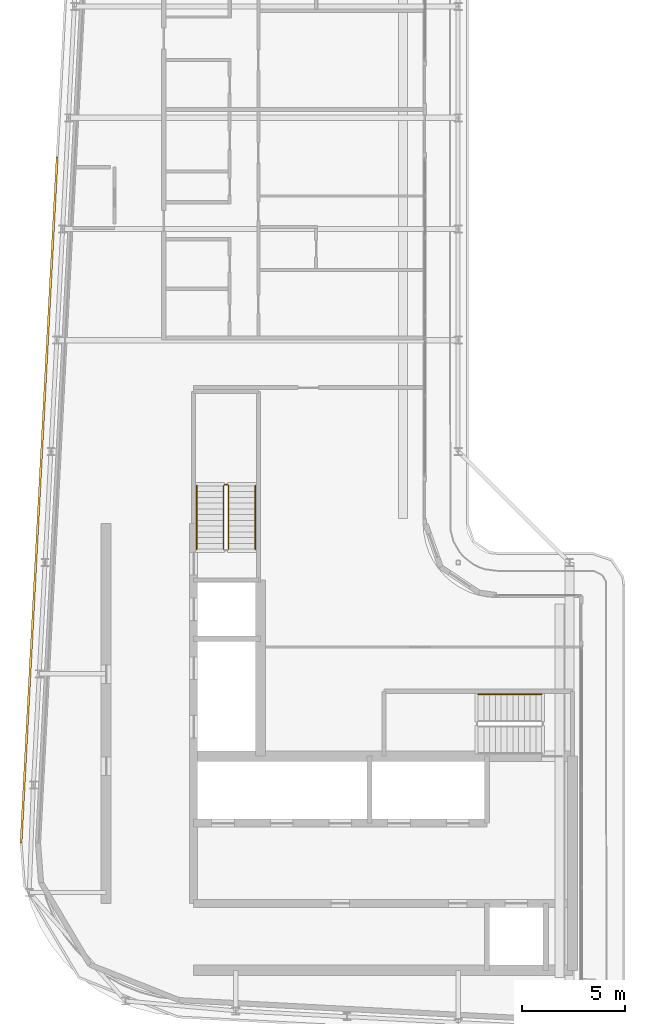
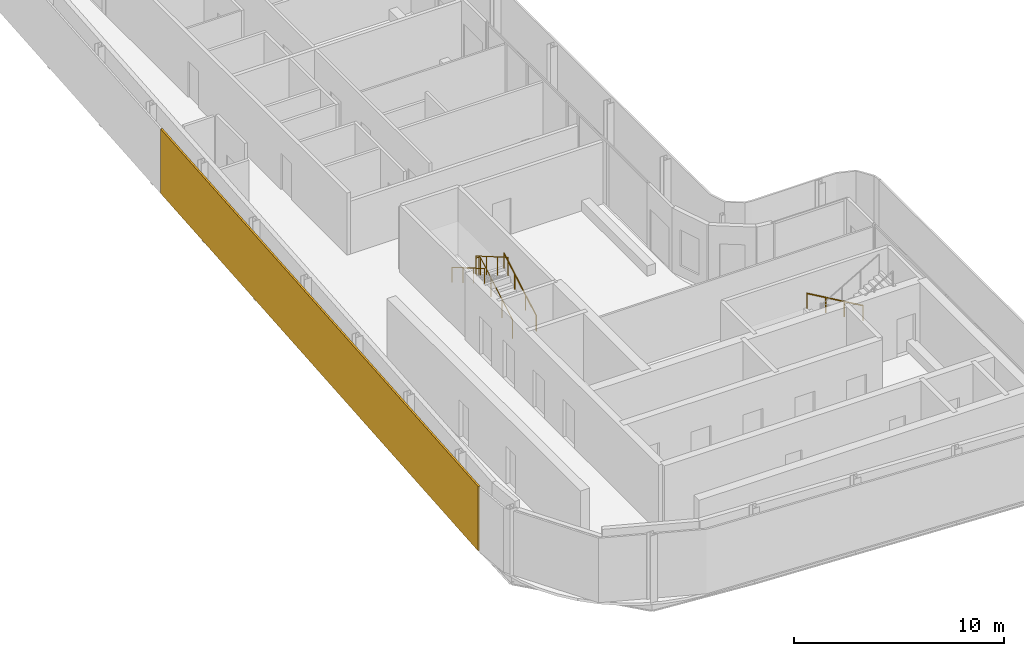
# One storey, part 15 of 18: 4 railings, 1 shading device.
"""IFC4 building model written with IfcOpenShell, lengths in metres."""

from ifc_helpers import new_model, si_unit, direction, frame, origin, origin_2d, place, context, subcontext, project, spatial, rectangle, circle, extrude, material, layer, layer_set, type_object, element, save


model = new_model("IFC4")

# Units and contexts
model_context = context("Model", 3, precision=1e-05, world=origin(), true_north=direction((0.0, 1.0)))
body_context = subcontext(model_context, "Body", "Model", "MODEL_VIEW")
ifc_project = project(units=[si_unit("LENGTHUNIT", "METRE"), si_unit("AREAUNIT", "SQUARE_METRE"), si_unit("VOLUMEUNIT", "CUBIC_METRE"), si_unit("PLANEANGLEUNIT", "RADIAN"), si_unit("MASSUNIT", "GRAM", prefix="KILO")], contexts=[model_context])

# Site, building, storey
site_placement = place(None, origin())
site = spatial("IfcSite", under=ifc_project, at=site_placement, CompositionType="ELEMENT")
building_placement = place(site_placement, origin())
building = spatial("IfcBuilding", under=site, at=building_placement, Name="Kheshtan School and Residences Tower", CompositionType="ELEMENT")
storey_placement = place(building_placement, frame((0.0, 0.0, 369.5)))
storey = spatial("IfcBuildingStorey", under=building, at=storey_placement, Name="L87", CompositionType="ELEMENT", Elevation=369.5)

# Shading device
ifc_material_1 = material(Name="Terracotta baguette, extruded ceramic", Category="masonry")
ifc_layer = layer(ifc_material_1, 0.10009765625)
ifc_layer_set = layer_set([ifc_layer], Name="Ledge screen, terracotta baguettes")
shading_device_type = type_object("IfcShadingDeviceType", Name="Ledge screen, terracotta baguettes", PredefinedType="USERDEFINED", material=ifc_layer_set)
shading_device_placement = place(storey_placement, frame((27.24609375, 48.638916015625, 0.0), z_axis=(0.0, 0.0, 1.0), x_axis=(0.052562536748, 0.998617634398, 0.0)))
element("IfcShadingDevice", 1, at=shading_device_placement, inside=storey, type_object=shading_device_type, Name="Screen L87 4", ObjectType="BAGUETTE", PredefinedType="USERDEFINED", context=body_context, shape_type="SweptSolid", body=[
    extrude(rectangle(XDim=33.341064453125, YDim=0.10009765625, at=origin_2d()), origin(), (0.0, 0.0, 1.0), 3.75),
])

# Railings
ifc_material_2 = material(Name="Stainless steel balustrade", Category="steel")
railing_type_1 = type_object("IfcRailingType", Name="Stair guard 1100", PredefinedType="GUARDRAIL", material=ifc_material_2)
railing_1_placement = place(storey_placement, frame((36.449951171875, 46.25, 0.16259765625)))
element("IfcRailing", 2, at=railing_1_placement, inside=storey, type_object=railing_type_1, Name="L87 ST2 stair guard 1", PredefinedType="GUARDRAIL", context=body_context, shape_type="SweptSolid", body=[
    extrude(circle(Radius=0.02392578125, at=origin_2d()), frame((0.0, 0.0, 1.076171875), z_axis=(0.0, 0.864920483161, 0.501908913857), x_axis=(-1.0, 0.0, 0.0)), (0.0, 0.0, 1.0), 3.56103515625),
    extrude(circle(Radius=0.02392578125, at=origin_2d()), frame((0.0, 3.080078125, 2.86328125), z_axis=(-0.708833529934, 0.705375805398, 0.0), x_axis=(-0.705375805398, -0.708833529934, 0.0)), (0.0, 0.0, 1.0), 0.070556640625),
    extrude(circle(Radius=0.02392578125, at=origin_2d()), frame((-0.050048828125, 3.1298828125, 2.86328125), z_axis=(-1.0, 0.0, 0.0), x_axis=(0.0, -1.0, 0.0)), (0.0, 0.0, 1.0), 0.14990234375),
    extrude(circle(Radius=0.02392578125, at=origin_2d()), frame((-0.199951171875, 3.1298828125, 2.86328125), z_axis=(-0.282336740067, -0.280959487676, 0.917250092119), x_axis=(0.705375805398, -0.708833529934, 0.0)), (0.0, 0.0, 1.0), 0.17724609375),
    extrude(circle(Radius=0.02392578125, at=origin_2d()), frame((-0.25, 3.080078125, 3.02587890625), z_axis=(0.0, -0.864920483161, 0.501908913857), x_axis=(1.0, 0.0, 0.0)), (0.0, 0.0, 1.0), 3.56103515625),
    extrude(circle(Radius=0.02099609375, at=origin_2d()), origin(), (0.0, 0.0, 1.0), 1.052001953125),
    extrude(circle(Radius=0.02099609375, at=origin_2d()), frame((0.0, 1.026611328125, 0.595703125)), (0.0, 0.0, 1.0), 1.052001953125),
    extrude(circle(Radius=0.02099609375, at=origin_2d()), frame((0.0, 2.053466796875, 1.191650390625)), (0.0, 0.0, 1.0), 1.052001953125),
    extrude(circle(Radius=0.02099609375, at=origin_2d()), frame((0.0, 3.080078125, 1.787353515625)), (0.0, 0.0, 1.0), 1.052001953125),
    extrude(circle(Radius=0.02099609375, at=origin_2d()), frame((-0.050048828125, 3.1298828125, 1.787353515625)), (0.0, 0.0, 1.0), 1.052001953125),
    extrude(circle(Radius=0.02099609375, at=origin_2d()), frame((-0.199951171875, 3.1298828125, 1.787353515625)), (0.0, 0.0, 1.0), 1.052001953125),
    extrude(circle(Radius=0.02099609375, at=origin_2d()), frame((-0.25, 3.080078125, 1.949951171875)), (0.0, 0.0, 1.0), 1.052001953125),
    extrude(circle(Radius=0.02099609375, at=origin_2d()), frame((-0.25, 2.053466796875, 2.545654296875)), (0.0, 0.0, 1.0), 1.052001953125),
    extrude(circle(Radius=0.02099609375, at=origin_2d()), frame((-0.25, 1.026611328125, 3.1416015625)), (0.0, 0.0, 1.0), 1.052001953125),
    extrude(circle(Radius=0.02099609375, at=origin_2d()), frame((-0.25, 0.0, 3.7373046875)), (0.0, 0.0, 1.0), 1.052001953125),
])
ifc_material_3 = material(Name="Stainless steel handrail", Category="steel")
railing_type_2 = type_object("IfcRailingType", Name="Stair handrail 900", PredefinedType="HANDRAIL", material=ifc_material_3)
railing_2_placement = place(storey_placement, frame((51.64990234375, 39.199951171875, 0.16259765625)))
element("IfcRailing", 3, at=railing_2_placement, inside=storey, type_object=railing_type_2, Name="L87 ST1 stair handrail 1", PredefinedType="HANDRAIL", context=body_context, shape_type="SweptSolid", body=[
    extrude(circle(Radius=0.02392578125, at=origin_2d()), frame((0.0, 0.0, 0.8759765625), z_axis=(-0.864903211148, 0.0, 0.501938676878), x_axis=(0.0, -1.0, 0.0)), (0.0, 0.0, 1.0), 3.560791015625),
    extrude(circle(Radius=0.02099609375, at=origin_2d()), origin(), (0.0, 0.0, 1.0), 0.851806640625),
    extrude(circle(Radius=0.02099609375, at=origin_2d()), frame((-1.026611328125, 0.0, 0.595703125)), (0.0, 0.0, 1.0), 0.851806640625),
    extrude(circle(Radius=0.02099609375, at=origin_2d()), frame((-2.05322265625, 0.0, 1.191650390625)), (0.0, 0.0, 1.0), 0.851806640625),
    extrude(circle(Radius=0.02099609375, at=origin_2d()), frame((-3.079833984375, 0.0, 1.787353515625)), (0.0, 0.0, 1.0), 0.851806640625),
])
railing_3_placement = place(storey_placement, frame((37.75, 46.25, 0.16259765625)))
element("IfcRailing", 4, at=railing_3_placement, inside=storey, type_object=railing_type_2, Name="L87 ST2 stair handrail 1", PredefinedType="HANDRAIL", context=body_context, shape_type="SweptSolid", body=[
    extrude(circle(Radius=0.02392578125, at=origin_2d()), frame((0.0, 0.0, 0.8759765625), z_axis=(0.0, 0.864920483161, 0.501908913857), x_axis=(-1.0, 0.0, 0.0)), (0.0, 0.0, 1.0), 3.56103515625),
    extrude(circle(Radius=0.02099609375, at=origin_2d()), origin(), (0.0, 0.0, 1.0), 0.851806640625),
    extrude(circle(Radius=0.02099609375, at=origin_2d()), frame((0.0, 1.026611328125, 0.595703125)), (0.0, 0.0, 1.0), 0.851806640625),
    extrude(circle(Radius=0.02099609375, at=origin_2d()), frame((0.0, 2.053466796875, 1.191650390625)), (0.0, 0.0, 1.0), 0.851806640625),
    extrude(circle(Radius=0.02099609375, at=origin_2d()), frame((0.0, 3.080078125, 1.787353515625)), (0.0, 0.0, 1.0), 0.851806640625),
])
railing_4_placement = place(storey_placement, frame((34.89990234375, 49.330078125, 2.112548828125)))
element("IfcRailing", 5, at=railing_4_placement, inside=storey, type_object=railing_type_2, Name="L87 ST2 stair handrail 2", PredefinedType="HANDRAIL", context=body_context, shape_type="SweptSolid", body=[
    extrude(circle(Radius=0.02392578125, at=origin_2d()), frame((0.0, 0.0, 0.8759765625), z_axis=(0.0, -0.864920483161, 0.501908913857), x_axis=(1.0, 0.0, 0.0)), (0.0, 0.0, 1.0), 3.56103515625),
    extrude(circle(Radius=0.02099609375, at=origin_2d()), origin(), (0.0, 0.0, 1.0), 0.851806640625),
    extrude(circle(Radius=0.02099609375, at=origin_2d()), frame((0.0, -1.026611328125, 0.595703125)), (0.0, 0.0, 1.0), 0.851806640625),
    extrude(circle(Radius=0.02099609375, at=origin_2d()), frame((0.0, -2.053466796875, 1.191650390625)), (0.0, 0.0, 1.0), 0.851806640625),
    extrude(circle(Radius=0.02099609375, at=origin_2d()), frame((0.0, -3.080078125, 1.787353515625)), (0.0, 0.0, 1.0), 0.851806640625),
])

save(model, "model.ifc")
